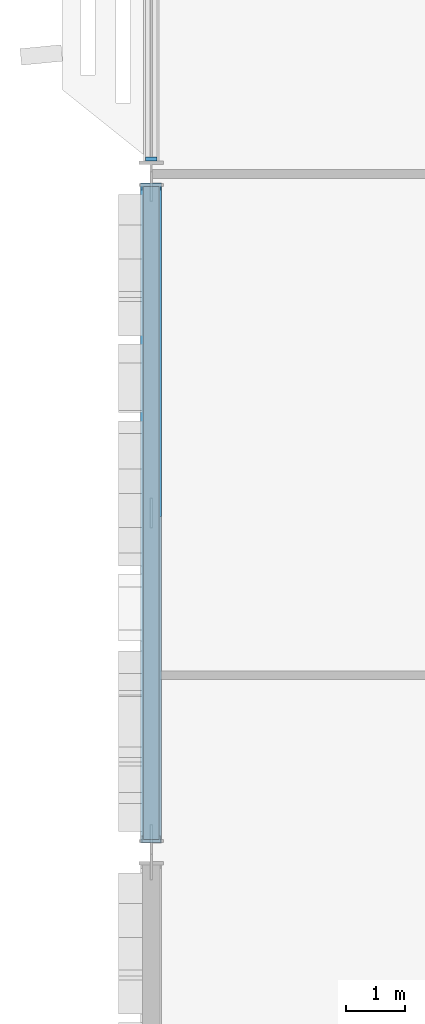
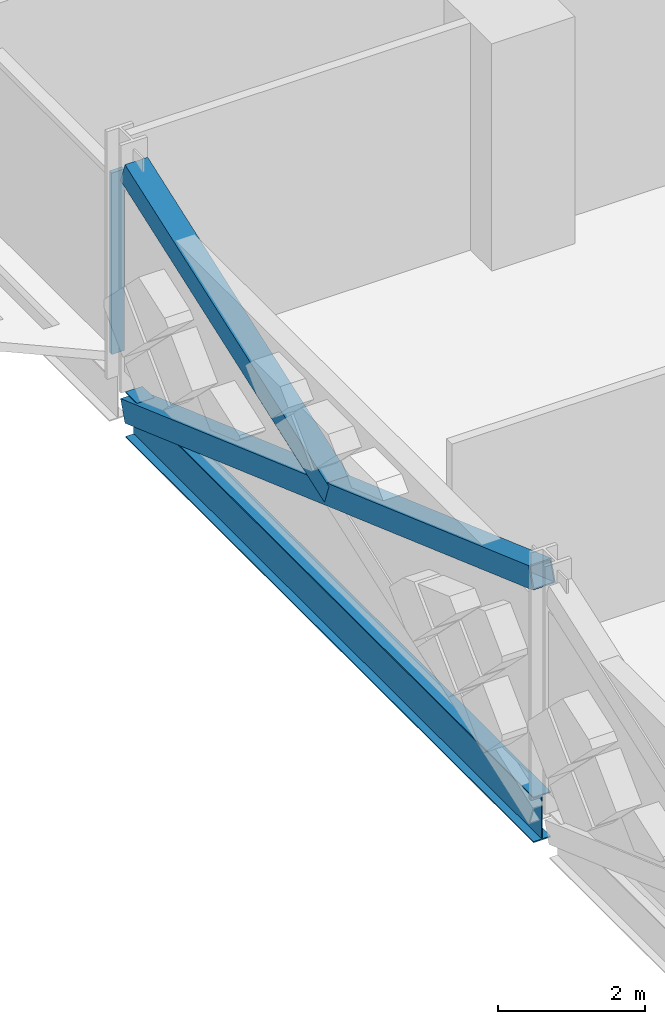
# One storey, part 4 of 32: 3 members, 1 beam, 1 element without a shape of its own.
"""IFC4 building model written with IfcOpenShell, lengths in metres."""

from ifc_helpers import new_model, si_unit, direction, frame, origin, origin_2d, place, context, subcontext, project, spatial, rectangle, hollow_rectangle, i_section, extrude, material, material_profile, profile_set, type_object, element, aggregate, save


model = new_model("IFC4")

# Units and contexts
model_context = context("Model", 3, precision=1e-05, world=origin(), true_north=direction((0.0, 1.0)))
body_context = subcontext(model_context, "Body", "Model", "MODEL_VIEW")
ifc_project = project(units=[si_unit("LENGTHUNIT", "METRE"), si_unit("AREAUNIT", "SQUARE_METRE"), si_unit("VOLUMEUNIT", "CUBIC_METRE"), si_unit("PLANEANGLEUNIT", "RADIAN"), si_unit("MASSUNIT", "GRAM", prefix="KILO")], contexts=[model_context])

# Site, building, storey
site_placement = place(None, origin())
site = spatial("IfcSite", under=ifc_project, at=site_placement, CompositionType="ELEMENT")
building_placement = place(site_placement, origin())
building = spatial("IfcBuilding", under=site, at=building_placement, Name="Mahtab Terrace Research Tower", CompositionType="ELEMENT")
storey_placement = place(building_placement, frame((0.0, 0.0, 138.39990234375)))
storey = spatial("IfcBuildingStorey", under=building, at=storey_placement, Name="L32", CompositionType="ELEMENT", Elevation=138.39990234375)

# Members
ifc_material_1 = material(Name="Steel ASTM A500 Gr C", Category="steel")
ifc_material_profile_1 = material_profile(ifc_material_1, hollow_rectangle(XDim=0.355712890625, YDim=0.355712890625, WallThickness=0.01904296875, at=origin_2d()), Name="HSS14X14X3/4")
ifc_profile_set_1 = profile_set([ifc_material_profile_1], Name="Steel ASTM A500 Gr C")
member_type_1 = type_object("IfcMemberType", Name="HSS 14x14x3/4 brace XB141434", PredefinedType="BRACE", material=ifc_profile_set_1)
member_1_placement = place(storey_placement, frame((-48.0, 11.282958984375, -0.640869140625), z_axis=(0.0, -0.941931707836, 0.335804493379), x_axis=(1.0, 0.0, 0.0)))
element("IfcMember", 1, at=member_1_placement, inside=storey, type_object=member_type_1, Name="Exoskeleton brace L32 11 a", PredefinedType="BRACE", context=body_context, shape_type="SweptSolid", body=[
    extrude(hollow_rectangle(XDim=0.355712890625, YDim=0.355712890625, WallThickness=0.01904296875, at=origin_2d()), origin(), (0.0, 0.0, 1.0), 11.748046875),
])
member_2_placement = place(storey_placement, frame((-48.0, 5.75, 1.33154296875), z_axis=(0.0, 0.941925134484, 0.335822931061), x_axis=(-1.0, 0.0, 0.0)))
element("IfcMember", 2, at=member_2_placement, inside=storey, type_object=member_type_1, Name="Exoskeleton brace L32 11 b2", PredefinedType="BRACE", context=body_context, shape_type="SweptSolid", body=[
    extrude(hollow_rectangle(XDim=0.355712890625, YDim=0.355712890625, WallThickness=0.01904296875, at=origin_2d()), origin(), (0.0, 0.0, 1.0), 5.8740234375),
])

# Curtain wall, member
ifc_material_2 = material(Name="Laboratory ribbon curtain wall")
curtain_wall_type = type_object("IfcCurtainWallType", Name="Laboratory ribbon curtain wall", PredefinedType="NOTDEFINED", material=ifc_material_2)
curtain_wall_placement = place(storey_placement, origin())
curtain_wall = element("IfcCurtainWall", 3, at=curtain_wall_placement, inside=storey, type_object=curtain_wall_type, Name="EN.L32.8.16", PredefinedType="NOTDEFINED")
ifc_material_3 = material(Name="Natural anodised aluminium", Category="aluminium")
ifc_material_profile_2 = material_profile(ifc_material_3, rectangle(XDim=0.199951171875, YDim=0.06494140625, at=origin_2d()), Name="MULLION 65x200")
ifc_profile_set_2 = profile_set([ifc_material_profile_2], Name="Natural anodised aluminium")
member_type_2 = type_object("IfcMemberType", Name="Laboratory ribbon curtain wall mullion", PredefinedType="MULLION", material=ifc_profile_set_2)
member_3_placement = place(storey_placement, frame((-48.0, 11.75048828125, 0.0), z_axis=(0.0, 0.0, 1.0), x_axis=(1.0, 0.0, 0.0)))
member_3 = element("IfcMember", 4, at=member_3_placement, type_object=member_type_2, Name="CWL-4 mullion 2", PredefinedType="MULLION", context=body_context, shape_type="SweptSolid", body=[
    extrude(rectangle(XDim=0.199951171875, YDim=0.06494140625, at=origin_2d()), origin(), (0.0, 0.0, 1.0), 3.003173828125),
])
aggregate(curtain_wall, [member_3])

# Beam
ifc_material_4 = material(Name="Steel ASTM A992 Gr 50", Category="steel")
ifc_material_profile_3 = material_profile(ifc_material_4, i_section(OverallWidth=0.2666015625, OverallDepth=0.7568359375, WebThickness=0.013916015625, FlangeThickness=0.019287109375, at=origin_2d()), Name="W30X108")
ifc_profile_set_3 = profile_set([ifc_material_profile_3], Name="Steel ASTM A992 Gr 50")
beam_type = type_object("IfcBeamType", Name="W30x108 beam BS30108", PredefinedType="BEAM", material=ifc_profile_set_3)
beam_placement = place(storey_placement, frame((-48.0, 11.282958984375, -0.71826171875), z_axis=(0.0, -1.0, 0.0), x_axis=(1.0, 0.0, 0.0)))
element("IfcBeam", 5, at=beam_placement, inside=storey, type_object=beam_type, Name="Spandrel beam L32 11", PredefinedType="BEAM", context=body_context, shape_type="SweptSolid", body=[
    extrude(i_section(OverallWidth=0.2666015625, OverallDepth=0.7568359375, WebThickness=0.013916015625, FlangeThickness=0.019287109375, at=origin_2d()), origin(), (0.0, 0.0, 1.0), 11.06591796875),
])

save(model, "model.ifc")
